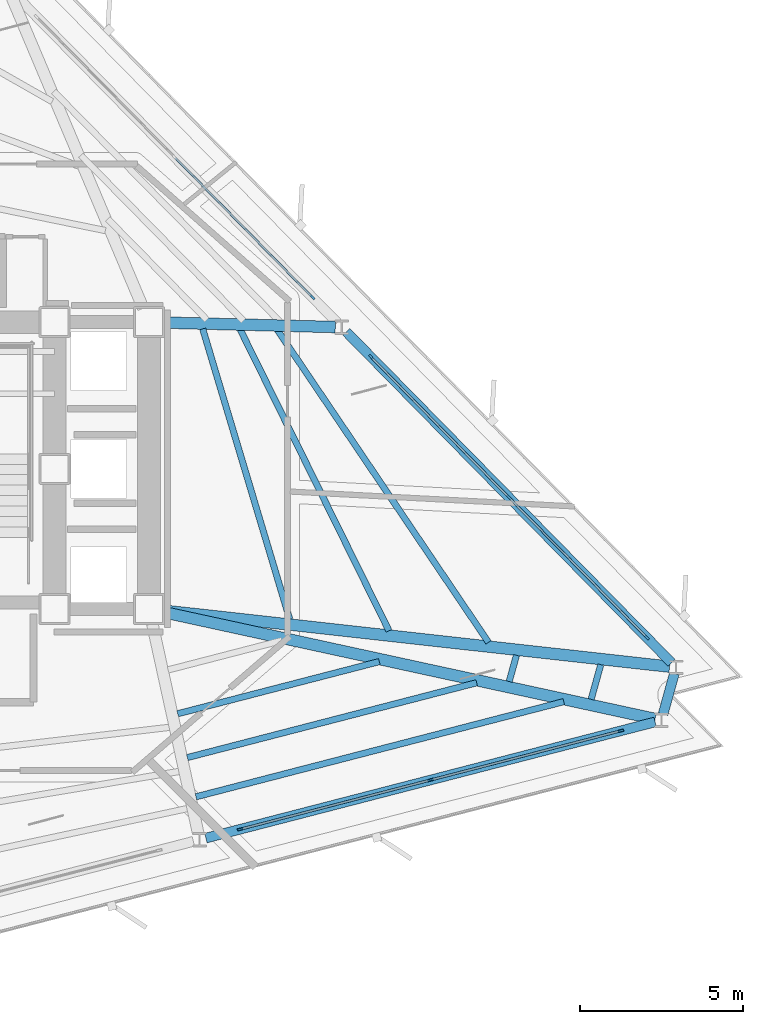
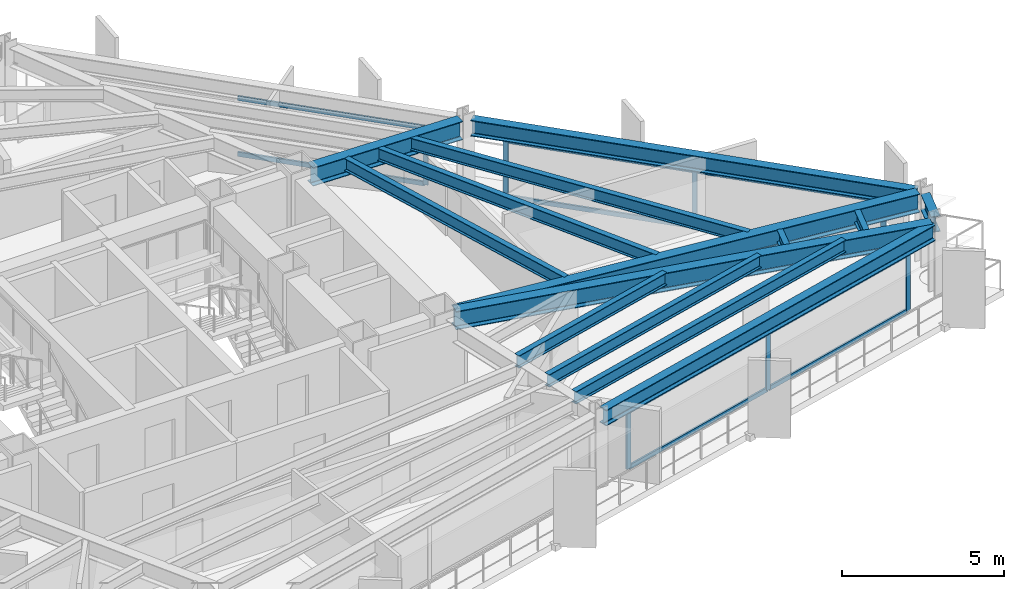
# One storey, part 4 of 11: 17 members, 14 beams, 3 elements without a shape of their own.
"""IFC4 building model written with IfcOpenShell, lengths in metres."""

from ifc_helpers import new_model, si_unit, direction, frame, origin, origin_2d, place, context, subcontext, project, spatial, rectangle, i_section, extrude, material, layer, layer_set, material_profile, profile_set, type_object, element, aggregate, save


model = new_model("IFC4")

# Units and contexts
model_context = context("Model", 3, precision=1e-05, world=origin(), true_north=direction((0.0, 1.0)))
body_context = subcontext(model_context, "Body", "Model", "MODEL_VIEW")
ifc_project = project(units=[si_unit("LENGTHUNIT", "METRE"), si_unit("AREAUNIT", "SQUARE_METRE"), si_unit("VOLUMEUNIT", "CUBIC_METRE"), si_unit("PLANEANGLEUNIT", "RADIAN"), si_unit("MASSUNIT", "GRAM", prefix="KILO")], contexts=[model_context])

# Site, building, storey
site_placement = place(None, origin())
site = spatial("IfcSite", under=ifc_project, at=site_placement, CompositionType="ELEMENT")
building_placement = place(site_placement, origin())
building = spatial("IfcBuilding", under=site, at=building_placement, Name="Rocaltana Carrier Exchange", CompositionType="ELEMENT")
storey_placement = place(building_placement, frame((0.0, 0.0, 91.679931640625)))
storey = spatial("IfcBuildingStorey", under=building, at=storey_placement, Name="L28", CompositionType="ELEMENT", Elevation=91.679931640625)

# Curtain wall, members
ifc_material_1 = material(Name="Aluminium 6063-T6", Category="aluminium")
ifc_layer = layer(ifc_material_1, 0.1650390625)
ifc_layer_set = layer_set([ifc_layer], Name="Aluminium 6063-T6")
curtain_wall_type = type_object("IfcCurtainWallType", Name="Lower-Mid Stepped Curtain Wall CW-02", PredefinedType="NOTDEFINED", material=ifc_layer_set)
curtain_wall_1_placement = place(storey_placement, origin())
curtain_wall_1 = element("IfcCurtainWall", 1, at=curtain_wall_1_placement, inside=storey, type_object=curtain_wall_type, Name="L28 CW-02 Run CW-L28-F1S1", PredefinedType="NOTDEFINED")
ifc_material_2 = material(Name="Aluminium 6063-T6", Category="aluminium")
ifc_material_profile_1 = material_profile(ifc_material_2, rectangle(XDim=0.06494140625, YDim=0.1650390625, at=origin_2d()), Name="AL-65X165")
ifc_profile_set_1 = profile_set([ifc_material_profile_1], Name="Aluminium 6063-T6")
member_type_1 = type_object("IfcMemberType", Name="CW-02 Mullion AL-65X165", PredefinedType="MULLION", material=ifc_profile_set_1)
member_1_placement = place(storey_placement, frame((24.21875, -5.1767578125, 0.0), z_axis=(0.0, 0.0, 1.0), x_axis=(-0.713244767898, -0.700915045542, 0.0)))
member_1 = element("IfcMember", 2, at=member_1_placement, type_object=member_type_1, Name="CW-02 mullion 1", PredefinedType="MULLION", context=body_context, shape_type="SweptSolid", body=[
    extrude(rectangle(XDim=0.06494140625, YDim=0.1650390625, at=origin_2d()), origin(), (0.0, 0.0, 1.0), 2.16796875),
])
member_2_placement = place(storey_placement, frame((19.989501953125, -0.872802734375, 0.0), z_axis=(0.0, 0.0, 1.0), x_axis=(-0.713244767898, -0.700915045542, 0.0)))
member_2 = element("IfcMember", 3, at=member_2_placement, type_object=member_type_1, Name="CW-02 mullion 2", PredefinedType="MULLION", context=body_context, shape_type="SweptSolid", body=[
    extrude(rectangle(XDim=0.06494140625, YDim=0.1650390625, at=origin_2d()), origin(), (0.0, 0.0, 1.0), 2.16796875),
])
member_3_placement = place(storey_placement, frame((15.760009765625, 3.430908203125, 0.0), z_axis=(0.0, 0.0, 1.0), x_axis=(-0.713244767898, -0.700915045542, 0.0)))
member_3 = element("IfcMember", 4, at=member_3_placement, type_object=member_type_1, Name="CW-02 mullion 3", PredefinedType="MULLION", context=body_context, shape_type="SweptSolid", body=[
    extrude(rectangle(XDim=0.06494140625, YDim=0.1650390625, at=origin_2d()), origin(), (0.0, 0.0, 1.0), 2.16796875),
])

# Curtain wall, member
curtain_wall_2_placement = place(storey_placement, origin())
curtain_wall_2 = element("IfcCurtainWall", 5, at=curtain_wall_2_placement, inside=storey, type_object=curtain_wall_type, Name="L28 CW-02 Run CW-L28-F1S2", PredefinedType="NOTDEFINED")
member_4_placement = place(storey_placement, frame((13.962158203125, 5.260498046875, 0.0), z_axis=(0.0, 0.0, 1.0), x_axis=(-0.713244696676, -0.700915118017, 0.0)))
member_4 = element("IfcMember", 6, at=member_4_placement, type_object=member_type_1, Name="CW-02 mullion 1", PredefinedType="MULLION", context=body_context, shape_type="SweptSolid", body=[
    extrude(rectangle(XDim=0.06494140625, YDim=0.1650390625, at=origin_2d()), origin(), (0.0, 0.0, 1.0), 2.16796875),
])

# Curtain wall, members
curtain_wall_3_placement = place(storey_placement, origin())
curtain_wall_3 = element("IfcCurtainWall", 7, at=curtain_wall_3_placement, inside=storey, type_object=curtain_wall_type, Name="L28 CW-02 Run CW-L28-F3S3", PredefinedType="NOTDEFINED")
member_5_placement = place(storey_placement, frame((11.741943359375, -11.057861328125, 0.0), z_axis=(0.0, 0.0, 1.0), x_axis=(-0.250370035526, 0.96815021836, 0.0)))
member_5 = element("IfcMember", 8, at=member_5_placement, type_object=member_type_1, Name="CW-02 mullion 1", PredefinedType="MULLION", context=body_context, shape_type="SweptSolid", body=[
    extrude(rectangle(XDim=0.06494140625, YDim=0.1650390625, at=origin_2d()), origin(), (0.0, 0.0, 1.0), 2.16796875),
])
member_6_placement = place(storey_placement, frame((17.583740234375, -9.547119140625, 0.0), z_axis=(0.0, 0.0, 1.0), x_axis=(-0.250370035526, 0.96815021836, 0.0)))
member_6 = element("IfcMember", 9, at=member_6_placement, type_object=member_type_1, Name="CW-02 mullion 2", PredefinedType="MULLION", context=body_context, shape_type="SweptSolid", body=[
    extrude(rectangle(XDim=0.06494140625, YDim=0.1650390625, at=origin_2d()), origin(), (0.0, 0.0, 1.0), 2.16796875),
])
member_7_placement = place(storey_placement, frame((23.42578125, -8.036376953125, 0.0), z_axis=(0.0, 0.0, 1.0), x_axis=(-0.250370035526, 0.96815021836, 0.0)))
member_7 = element("IfcMember", 10, at=member_7_placement, type_object=member_type_1, Name="CW-02 mullion 3", PredefinedType="MULLION", context=body_context, shape_type="SweptSolid", body=[
    extrude(rectangle(XDim=0.06494140625, YDim=0.1650390625, at=origin_2d()), origin(), (0.0, 0.0, 1.0), 2.16796875),
])

# Member
ifc_material_3 = material(Name="Aluminium 6063-T6", Category="aluminium")
ifc_material_profile_2 = material_profile(ifc_material_3, rectangle(XDim=0.06494140625, YDim=0.1650390625, at=origin_2d()), Name="AL-65X165")
ifc_profile_set_2 = profile_set([ifc_material_profile_2], Name="Aluminium 6063-T6")
member_type_2 = type_object("IfcMemberType", Name="CW-02 Transom AL-65X165", PredefinedType="USERDEFINED", material=ifc_profile_set_2)
member_8_placement = place(storey_placement, frame((24.196044921875, -5.153564453125, 0.032470703125), z_axis=(-0.700903905011, 0.713255715673, 0.0), x_axis=(-0.713255715673, -0.700903905011, 0.0)))
member_8 = element("IfcMember", 11, at=member_8_placement, type_object=member_type_2, Name="CW-02 transom 1.1", ObjectType="TRANSOM", PredefinedType="USERDEFINED", context=body_context, shape_type="SweptSolid", body=[
    extrude(rectangle(XDim=0.06494140625, YDim=0.1650390625, at=origin_2d()), origin(), (0.0, 0.0, 1.0), 5.96923828125),
])

member_9_placement = place(storey_placement, frame((24.196044921875, -5.153564453125, 2.135498046875), z_axis=(-0.700903905011, 0.713255715673, 0.0), x_axis=(-0.713255715673, -0.700903905011, 0.0)))
member_9 = element("IfcMember", 12, at=member_9_placement, type_object=member_type_2, Name="CW-02 transom 1.2", ObjectType="TRANSOM", PredefinedType="USERDEFINED", context=body_context, shape_type="SweptSolid", body=[
    extrude(rectangle(XDim=0.06494140625, YDim=0.1650390625, at=origin_2d()), origin(), (0.0, 0.0, 1.0), 5.96923828125),
])

member_10_placement = place(storey_placement, frame((19.966552734375, -0.849609375, 0.032470703125), z_axis=(-0.700924352217, 0.713235621985, 0.0), x_axis=(-0.713235621985, -0.700924352217, 0.0)))
member_10 = element("IfcMember", 13, at=member_10_placement, type_object=member_type_2, Name="CW-02 transom 2.1", ObjectType="TRANSOM", PredefinedType="USERDEFINED", context=body_context, shape_type="SweptSolid", body=[
    extrude(rectangle(XDim=0.06494140625, YDim=0.1650390625, at=origin_2d()), origin(), (0.0, 0.0, 1.0), 5.968994140625),
])

member_11_placement = place(storey_placement, frame((19.966552734375, -0.849609375, 2.135498046875), z_axis=(-0.700924352217, 0.713235621985, 0.0), x_axis=(-0.713235621985, -0.700924352217, 0.0)))
member_11 = element("IfcMember", 14, at=member_11_placement, type_object=member_type_2, Name="CW-02 transom 2.2", ObjectType="TRANSOM", PredefinedType="USERDEFINED", context=body_context, shape_type="SweptSolid", body=[
    extrude(rectangle(XDim=0.06494140625, YDim=0.1650390625, at=origin_2d()), origin(), (0.0, 0.0, 1.0), 5.968994140625),
])

aggregate(curtain_wall_1, [member_1, member_2, member_3, member_8, member_9, member_10, member_11])

member_12_placement = place(storey_placement, frame((13.939453125, 5.28369140625, 0.032470703125), z_axis=(-0.700903905011, 0.713255715673, 0.0), x_axis=(-0.713255715673, -0.700903905011, 0.0)))
member_12 = element("IfcMember", 15, at=member_12_placement, type_object=member_type_2, Name="CW-02 transom 1.1", ObjectType="TRANSOM", PredefinedType="USERDEFINED", context=body_context, shape_type="SweptSolid", body=[
    extrude(rectangle(XDim=0.06494140625, YDim=0.1650390625, at=origin_2d()), origin(), (0.0, 0.0, 1.0), 5.96923828125),
])

member_13_placement = place(storey_placement, frame((13.939453125, 5.28369140625, 2.135498046875), z_axis=(-0.700903905011, 0.713255715673, 0.0), x_axis=(-0.713255715673, -0.700903905011, 0.0)))
member_13 = element("IfcMember", 16, at=member_13_placement, type_object=member_type_2, Name="CW-02 transom 1.2", ObjectType="TRANSOM", PredefinedType="USERDEFINED", context=body_context, shape_type="SweptSolid", body=[
    extrude(rectangle(XDim=0.06494140625, YDim=0.1650390625, at=origin_2d()), origin(), (0.0, 0.0, 1.0), 5.96923828125),
])

aggregate(curtain_wall_2, [member_4, member_12, member_13])

member_14_placement = place(storey_placement, frame((11.7734375, -11.0498046875, 0.032470703125), z_axis=(0.968142466864, 0.250400007695, 0.0), x_axis=(-0.250400007695, 0.968142466864, 0.0)))
member_14 = element("IfcMember", 17, at=member_14_placement, type_object=member_type_2, Name="CW-02 transom 1.1", ObjectType="TRANSOM", PredefinedType="USERDEFINED", context=body_context, shape_type="SweptSolid", body=[
    extrude(rectangle(XDim=0.06494140625, YDim=0.1650390625, at=origin_2d()), origin(), (0.0, 0.0, 1.0), 5.968994140625),
])

member_15_placement = place(storey_placement, frame((11.7734375, -11.0498046875, 2.135498046875), z_axis=(0.968142466864, 0.250400007695, 0.0), x_axis=(-0.250400007695, 0.968142466864, 0.0)))
member_15 = element("IfcMember", 18, at=member_15_placement, type_object=member_type_2, Name="CW-02 transom 1.2", ObjectType="TRANSOM", PredefinedType="USERDEFINED", context=body_context, shape_type="SweptSolid", body=[
    extrude(rectangle(XDim=0.06494140625, YDim=0.1650390625, at=origin_2d()), origin(), (0.0, 0.0, 1.0), 5.968994140625),
])

member_16_placement = place(storey_placement, frame((17.615234375, -9.5390625, 0.032470703125), z_axis=(0.968145031253, 0.250390092575, 0.0), x_axis=(-0.250390092575, 0.968145031253, 0.0)))
member_16 = element("IfcMember", 19, at=member_16_placement, type_object=member_type_2, Name="CW-02 transom 2.1", ObjectType="TRANSOM", PredefinedType="USERDEFINED", context=body_context, shape_type="SweptSolid", body=[
    extrude(rectangle(XDim=0.06494140625, YDim=0.1650390625, at=origin_2d()), origin(), (0.0, 0.0, 1.0), 5.96923828125),
])

member_17_placement = place(storey_placement, frame((17.615234375, -9.5390625, 2.135498046875), z_axis=(0.968145031253, 0.250390092575, 0.0), x_axis=(-0.250390092575, 0.968145031253, 0.0)))
member_17 = element("IfcMember", 20, at=member_17_placement, type_object=member_type_2, Name="CW-02 transom 2.2", ObjectType="TRANSOM", PredefinedType="USERDEFINED", context=body_context, shape_type="SweptSolid", body=[
    extrude(rectangle(XDim=0.06494140625, YDim=0.1650390625, at=origin_2d()), origin(), (0.0, 0.0, 1.0), 5.96923828125),
])

aggregate(curtain_wall_3, [member_5, member_6, member_7, member_14, member_15, member_16, member_17])

# Beams
ifc_material_4 = material(Name="Steel S355", Category="steel")
ifc_material_profile_3 = material_profile(ifc_material_4, i_section(OverallWidth=0.193115234375, OverallDepth=0.466064453125, WebThickness=0.011474609375, FlangeThickness=0.01904296875, FilletRadius=0.013916015625, at=origin_2d()), Name="W18X65")
ifc_profile_set_3 = profile_set([ifc_material_profile_3], Name="Steel S355")
beam_type_1 = type_object("IfcBeamType", Name="Floor Joist W18X65", PredefinedType="JOIST", material=ifc_profile_set_3)
beam_1_placement = place(storey_placement, frame((13.26611328125, -4.619384765625, 2.55517578125), z_axis=(-0.287034949518, 0.95792011032, 0.0), x_axis=(-0.95792011032, -0.287034949518, 0.0)))
element("IfcBeam", 21, at=beam_1_placement, inside=storey, type_object=beam_type_1, Name="FJ-L28-01-1", PredefinedType="JOIST", context=body_context, shape_type="SweptSolid", body=[
    extrude(i_section(OverallWidth=0.193115234375, OverallDepth=0.466064453125, WebThickness=0.011474609375, FlangeThickness=0.01904296875, FilletRadius=0.013916015625, at=origin_2d()), origin(), (0.0, 0.0, 1.0), 9.30517578125),
])
beam_2_placement = place(storey_placement, frame((16.311279296875, -4.97021484375, 2.55517578125), z_axis=(-0.442813915887, 0.89661353765, 0.0), x_axis=(-0.89661353765, -0.442813915887, 0.0)))
element("IfcBeam", 22, at=beam_2_placement, inside=storey, type_object=beam_type_1, Name="FJ-L28-01-2", PredefinedType="JOIST", context=body_context, shape_type="SweptSolid", body=[
    extrude(i_section(OverallWidth=0.193115234375, OverallDepth=0.466064453125, WebThickness=0.011474609375, FlangeThickness=0.01904296875, FilletRadius=0.013916015625, at=origin_2d()), origin(), (0.0, 0.0, 1.0), 10.311767578125),
])
beam_3_placement = place(storey_placement, frame((19.363037109375, -5.322509765625, 2.55517578125), z_axis=(-0.55996593104, 0.828515634177, 0.0), x_axis=(-0.828515634177, -0.55996593104, 0.0)))
element("IfcBeam", 23, at=beam_3_placement, inside=storey, type_object=beam_type_1, Name="FJ-L28-01-3", PredefinedType="JOIST", context=body_context, shape_type="SweptSolid", body=[
    extrude(i_section(OverallWidth=0.193115234375, OverallDepth=0.466064453125, WebThickness=0.011474609375, FlangeThickness=0.01904296875, FilletRadius=0.013916015625, at=origin_2d()), origin(), (0.0, 0.0, 1.0), 11.56298828125),
])
beam_4_placement = place(storey_placement, frame((9.8291015625, -7.513427734375, 2.55517578125), z_axis=(0.968143557315, 0.250395791558, 0.0), x_axis=(-0.250395791558, 0.968143557315, 0.0)))
element("IfcBeam", 24, at=beam_4_placement, inside=storey, type_object=beam_type_1, Name="FJ-L28-11-2", PredefinedType="JOIST", context=body_context, shape_type="SweptSolid", body=[
    extrude(i_section(OverallWidth=0.193115234375, OverallDepth=0.466064453125, WebThickness=0.011474609375, FlangeThickness=0.01904296875, FilletRadius=0.013916015625, at=origin_2d()), origin(), (0.0, 0.0, 1.0), 6.388427734375),
])
beam_5_placement = place(storey_placement, frame((10.123779296875, -8.8583984375, 2.55517578125), z_axis=(0.968146466447, 0.250384543264, 0.0), x_axis=(-0.250384543264, 0.968146466447, 0.0)))
element("IfcBeam", 25, at=beam_5_placement, inside=storey, type_object=beam_type_1, Name="FJ-L28-11-3", PredefinedType="JOIST", context=body_context, shape_type="SweptSolid", body=[
    extrude(i_section(OverallWidth=0.193115234375, OverallDepth=0.466064453125, WebThickness=0.011474609375, FlangeThickness=0.01904296875, FilletRadius=0.013916015625, at=origin_2d()), origin(), (0.0, 0.0, 1.0), 9.16845703125),
])
beam_6_placement = place(storey_placement, frame((10.38720703125, -10.061767578125, 2.55517578125), z_axis=(0.968148049608, 0.250378421674, 0.0), x_axis=(-0.250378421674, 0.968148049608, 0.0)))
element("IfcBeam", 26, at=beam_6_placement, inside=storey, type_object=beam_type_1, Name="FJ-L28-11-4", PredefinedType="JOIST", context=body_context, shape_type="SweptSolid", body=[
    extrude(i_section(OverallWidth=0.193115234375, OverallDepth=0.466064453125, WebThickness=0.011474609375, FlangeThickness=0.01904296875, FilletRadius=0.013916015625, at=origin_2d()), origin(), (0.0, 0.0, 1.0), 11.65625),
])
beam_7_placement = place(storey_placement, frame((19.998046875, -6.525390625, 2.55517578125), z_axis=(0.267312721501, 0.96360983231, 0.0), x_axis=(-0.96360983231, 0.267312721501, 0.0)))
element("IfcBeam", 27, at=beam_7_placement, inside=storey, type_object=beam_type_1, Name="FJ-L28-12-3", PredefinedType="JOIST", context=body_context, shape_type="SweptSolid", body=[
    extrude(i_section(OverallWidth=0.193115234375, OverallDepth=0.466064453125, WebThickness=0.011474609375, FlangeThickness=0.01904296875, FilletRadius=0.013916015625, at=origin_2d()), origin(), (0.0, 0.0, 1.0), 0.836669921875),
])
beam_8_placement = place(storey_placement, frame((22.5126953125, -7.07177734375, 2.55517578125), z_axis=(0.267336435307, 0.963603253605, 0.0), x_axis=(-0.963603253605, 0.267336435307, 0.0)))
element("IfcBeam", 28, at=beam_8_placement, inside=storey, type_object=beam_type_1, Name="FJ-L28-12-4", PredefinedType="JOIST", context=body_context, shape_type="SweptSolid", body=[
    extrude(i_section(OverallWidth=0.193115234375, OverallDepth=0.466064453125, WebThickness=0.011474609375, FlangeThickness=0.01904296875, FilletRadius=0.013916015625, at=origin_2d()), origin(), (0.0, 0.0, 1.0), 1.10595703125),
])
ifc_material_5 = material(Name="Steel S355", Category="steel")
ifc_material_profile_4 = material_profile(ifc_material_5, i_section(OverallWidth=0.35498046875, OverallDepth=0.695068359375, WebThickness=0.015380859375, FlangeThickness=0.02490234375, FilletRadius=0.01806640625, at=origin_2d()), Name="W27X146")
ifc_profile_set_4 = profile_set([ifc_material_profile_4], Name="Steel S355")
beam_type_2 = type_object("IfcBeamType", Name="Radial Girder W27X146", PredefinedType="BEAM", material=ifc_profile_set_4)
beam_9_placement = place(storey_placement, frame((9.414306640625, -4.351318359375, 2.440673828125), z_axis=(0.993916704851, -0.110134389809, 0.0), x_axis=(0.110134389809, 0.993916704851, 0.0)))
element("IfcBeam", 29, at=beam_9_placement, inside=storey, type_object=beam_type_2, Name="RG-L28-01", PredefinedType="BEAM", context=body_context, shape_type="SweptSolid", body=[
    extrude(i_section(OverallWidth=0.35498046875, OverallDepth=0.695068359375, WebThickness=0.015380859375, FlangeThickness=0.02490234375, FilletRadius=0.01806640625, at=origin_2d()), origin(), (0.0, 0.0, 1.0), 15.6015625),
])
beam_10_placement = place(storey_placement, frame((9.416748046875, 4.48779296875, 2.440673828125), z_axis=(0.99965940255, -0.026097488242, 0.0), x_axis=(0.026097488242, 0.99965940255, 0.0)))
element("IfcBeam", 30, at=beam_10_placement, inside=storey, type_object=beam_type_2, Name="RG-L28-02", PredefinedType="BEAM", context=body_context, shape_type="SweptSolid", body=[
    extrude(i_section(OverallWidth=0.35498046875, OverallDepth=0.695068359375, WebThickness=0.015380859375, FlangeThickness=0.02490234375, FilletRadius=0.01806640625, at=origin_2d()), origin(), (0.0, 0.0, 1.0), 5.248046875),
])
beam_11_placement = place(storey_placement, frame((9.406494140625, -4.399169921875, 2.440673828125), z_axis=(0.977197794576, -0.212331039362, 0.0), x_axis=(0.212331039362, 0.977197794576, 0.0)))
element("IfcBeam", 31, at=beam_11_placement, inside=storey, type_object=beam_type_2, Name="RG-L28-12", PredefinedType="BEAM", context=body_context, shape_type="SweptSolid", body=[
    extrude(i_section(OverallWidth=0.35498046875, OverallDepth=0.695068359375, WebThickness=0.015380859375, FlangeThickness=0.02490234375, FilletRadius=0.01806640625, at=origin_2d()), origin(), (0.0, 0.0, 1.0), 15.4189453125),
])
ifc_material_6 = material(Name="Steel S355", Category="steel")
ifc_material_profile_5 = material_profile(ifc_material_6, i_section(OverallWidth=0.300048828125, OverallDepth=0.60009765625, WebThickness=0.015380859375, FlangeThickness=0.030029296875, FilletRadius=0.027099609375, at=origin_2d()), Name="HEB600")
ifc_profile_set_5 = profile_set([ifc_material_profile_5], Name="Steel S355")
beam_type_3 = type_object("IfcBeamType", Name="Spandrel Edge Beam HEB600", PredefinedType="SPANDREL", material=ifc_profile_set_5)
beam_12_placement = place(storey_placement, frame((24.97900390625, -5.9501953125, 2.488037109375), z_axis=(-0.700906560302, 0.713253106356, 0.0), x_axis=(-0.713253106356, -0.700906560302, 0.0)))
element("IfcBeam", 32, at=beam_12_placement, inside=storey, type_object=beam_type_3, Name="SP-L28-01", PredefinedType="SPANDREL", context=body_context, shape_type="SweptSolid", body=[
    extrude(i_section(OverallWidth=0.300048828125, OverallDepth=0.60009765625, WebThickness=0.015380859375, FlangeThickness=0.030029296875, FilletRadius=0.027099609375, at=origin_2d()), origin(), (0.0, 0.0, 1.0), 14.2373046875),
])
beam_13_placement = place(storey_placement, frame((10.69189453125, -11.329345703125, 2.488037109375), z_axis=(0.968151928299, 0.250363423309, 0.0), x_axis=(-0.250363423309, 0.968151928299, 0.0)))
element("IfcBeam", 33, at=beam_13_placement, inside=storey, type_object=beam_type_3, Name="SP-L28-11", PredefinedType="SPANDREL", context=body_context, shape_type="SweptSolid", body=[
    extrude(i_section(OverallWidth=0.300048828125, OverallDepth=0.60009765625, WebThickness=0.015380859375, FlangeThickness=0.030029296875, FilletRadius=0.027099609375, at=origin_2d()), origin(), (0.0, 0.0, 1.0), 14.237060546875),
])
beam_14_placement = place(storey_placement, frame((24.72021484375, -7.5244140625, 2.488037109375), z_axis=(0.267233578385, 0.963631783714, 0.0), x_axis=(-0.963631783714, 0.267233578385, 0.0)))
element("IfcBeam", 34, at=beam_14_placement, inside=storey, type_object=beam_type_3, Name="SP-L28-12", PredefinedType="SPANDREL", context=body_context, shape_type="SweptSolid", body=[
    extrude(i_section(OverallWidth=0.300048828125, OverallDepth=0.60009765625, WebThickness=0.015380859375, FlangeThickness=0.030029296875, FilletRadius=0.027099609375, at=origin_2d()), origin(), (0.0, 0.0, 1.0), 1.2890625),
])

save(model, "model.ifc")
